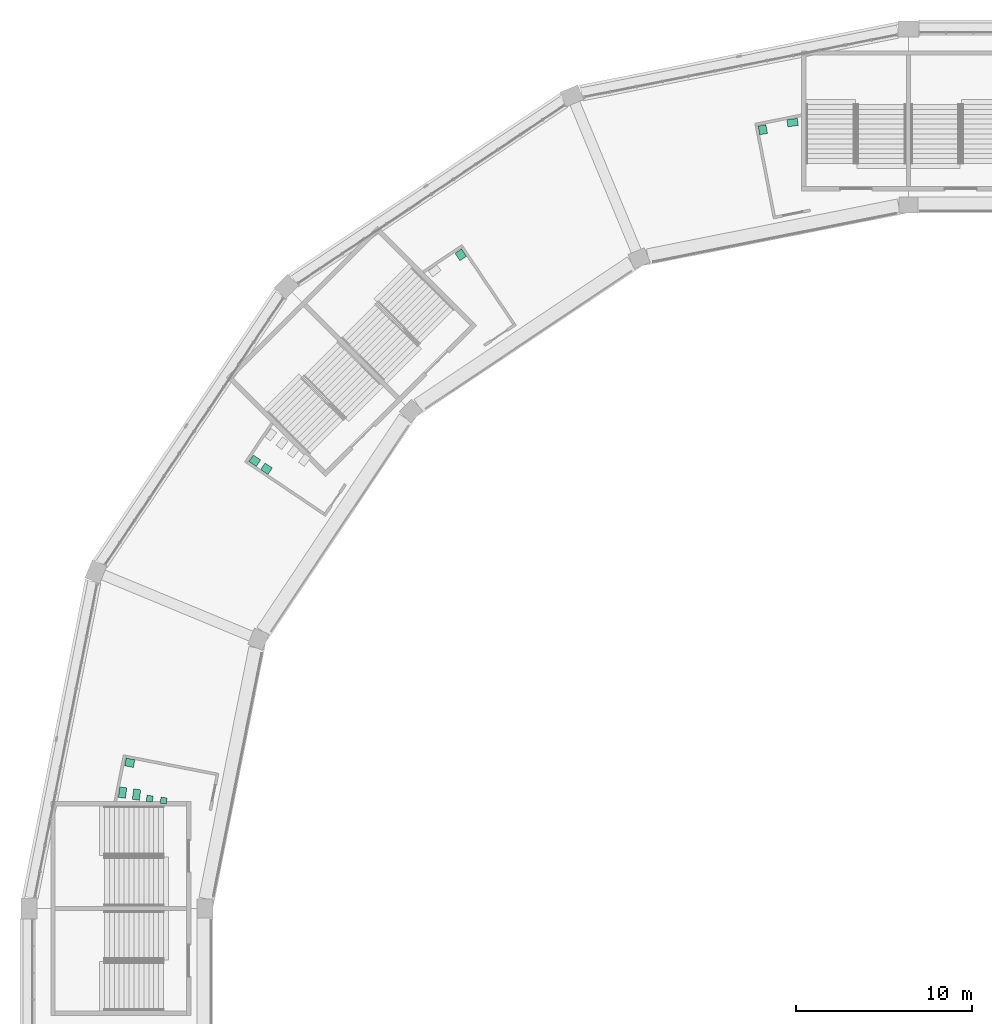
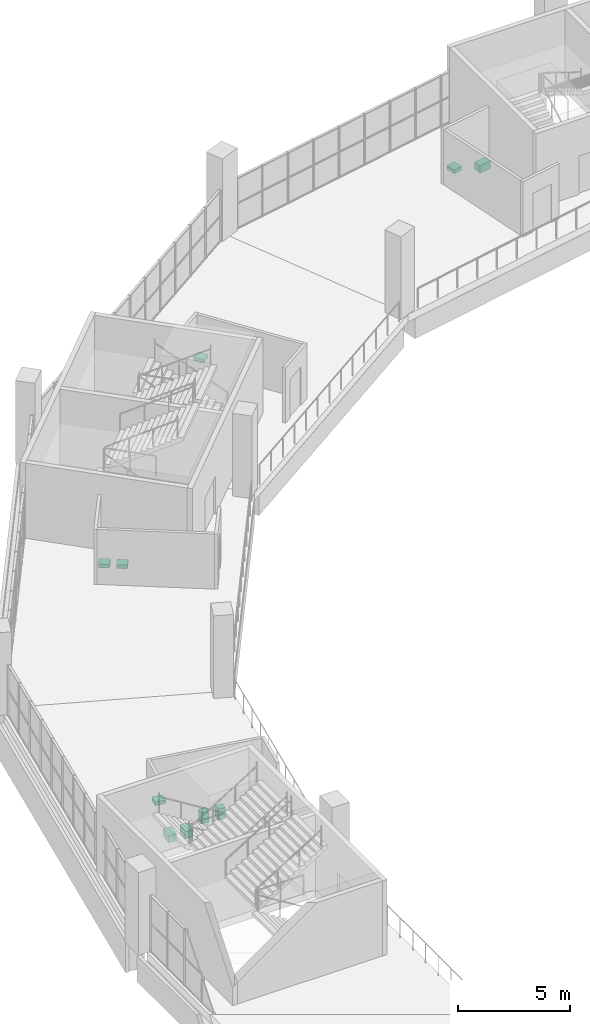
# One storey, part 176 of 177: 10 sanitary terminals.
"""IFC4 building model written with IfcOpenShell, lengths in metres."""

from ifc_helpers import new_model, si_unit, direction, frame, origin, origin_2d, place, context, subcontext, project, spatial, rectangle, extrude, material, type_object, element, save


model = new_model("IFC4")

# Units and contexts
model_context = context("Model", 3, precision=1e-05, world=origin(), true_north=direction((0.0, 1.0)))
body_context = subcontext(model_context, "Body", "Model", "MODEL_VIEW")
ifc_project = project(units=[si_unit("LENGTHUNIT", "METRE"), si_unit("AREAUNIT", "SQUARE_METRE"), si_unit("VOLUMEUNIT", "CUBIC_METRE"), si_unit("PLANEANGLEUNIT", "RADIAN"), si_unit("MASSUNIT", "GRAM", prefix="KILO")], contexts=[model_context])

# Site, building, storey
site_placement = place(None, origin())
site = spatial("IfcSite", under=ifc_project, at=site_placement, CompositionType="ELEMENT")
building_placement = place(site_placement, origin())
building = spatial("IfcBuilding", under=site, at=building_placement, Name="Ogive Plaza Stadium", CompositionType="ELEMENT")
storey_placement = place(building_placement, frame((0.0, 0.0, 18.0)))
storey = spatial("IfcBuildingStorey", under=building, at=storey_placement, Name="L04", CompositionType="ELEMENT", Elevation=18.0)

# Sanitary terminals
ifc_material_1 = material(Name="Vitreous china", Category="ceramic")
sanitary_terminal_type_1 = type_object("IfcSanitaryTerminalType", Name="Lavatory", PredefinedType="WASHHANDBASIN", material=ifc_material_1)
for number, where, z_axis, x_axis, name in (
    (1, (-78.270263671875, 60.78173828125, 0.7998046875), (0.0, 0.0, 1.0), (0.982017740826, -0.18878865618, 0.0), "Lavatory L04-009"),
    (2, (-71.159912109375, 77.94775390625, 0.7998046875), (0.0, 0.0, 1.0), (0.82788514278, -0.560897664788, 0.0), "Lavatory L04-010"),
    (3, (-70.49755859375, 77.4990234375, 0.7998046875), (0.0, 0.0, 1.0), (0.82788514278, -0.560897664788, 0.0), "Lavatory L04-010"),
    (4, (-59.44775390625, 89.659912109375, 0.7998046875), (0.0, 0.0, 1.0), (0.560897664788, -0.82788514278, 0.0), "Lavatory L04-011"),
    (5, (-42.28173828125, 96.770263671875, 0.7998046875), (0.0, 0.0, 1.0), (0.18878865618, -0.982017740826, 0.0), "Lavatory L04-012"),
):
    element("IfcSanitaryTerminal", number, at=place(storey_placement, frame(where, z_axis=z_axis, x_axis=x_axis)), inside=storey, type_object=sanitary_terminal_type_1, Name=name, PredefinedType="WASHHANDBASIN", context=body_context, shape_type="SweptSolid", body=[
        extrude(rectangle(XDim=0.5, YDim=0.449951171875, at=origin_2d()), origin(), (0.0, 0.0, 1.0), 0.199951171875),
    ])
ifc_material_2 = material(Name="Vitreous china", Category="ceramic")
sanitary_terminal_type_2 = type_object("IfcSanitaryTerminalType", Name="Urinal", PredefinedType="URINAL", material=ifc_material_2)
for number, where, z_axis, x_axis, name in (
    (6, (-77.135498046875, 58.743408203125, 0.599853515625), (0.0, 0.0, 1.0), (0.990254218377, -0.139271615869, 0.0), "Urinal L04-009"),
    (7, (-76.34326171875, 58.632080078125, 0.599853515625), (0.0, 0.0, 1.0), (0.990254218377, -0.139271615869, 0.0), "Urinal L04-009"),
):
    element("IfcSanitaryTerminal", number, at=place(storey_placement, frame(where, z_axis=z_axis, x_axis=x_axis)), inside=storey, type_object=sanitary_terminal_type_2, Name=name, PredefinedType="URINAL", context=body_context, shape_type="SweptSolid", body=[
        extrude(rectangle(XDim=0.35009765625, YDim=0.35009765625, at=origin_2d()), origin(), (0.0, 0.0, 1.0), 0.60009765625),
    ])
ifc_material_3 = material(Name="Vitreous china", Category="ceramic")
sanitary_terminal_type_3 = type_object("IfcSanitaryTerminalType", Name="Water closet", PredefinedType="TOILETPAN", material=ifc_material_3)
for number, where, z_axis, x_axis, name in (
    (8, (-78.677734375, 59.08642578125, 0.0), (0.0, 0.0, 1.0), (0.990254218377, -0.139271615869, 0.0), "Water closet L04-009"),
    (9, (-77.885498046875, 58.97509765625, 0.0), (0.0, 0.0, 1.0), (0.990254218377, -0.139271615869, 0.0), "Water closet L04-009"),
    (10, (-40.58642578125, 97.177734375, 0.0), (0.0, 0.0, 1.0), (0.139271615869, -0.990254218377, 0.0), "Water closet L04-012"),
):
    element("IfcSanitaryTerminal", number, at=place(storey_placement, frame(where, z_axis=z_axis, x_axis=x_axis)), inside=storey, type_object=sanitary_terminal_type_3, Name=name, PredefinedType="TOILETPAN", context=body_context, shape_type="SweptSolid", body=[
        extrude(rectangle(XDim=0.39990234375, YDim=0.60009765625, at=origin_2d()), origin(), (0.0, 0.0, 1.0), 0.39990234375),
    ])

save(model, "model.ifc")
